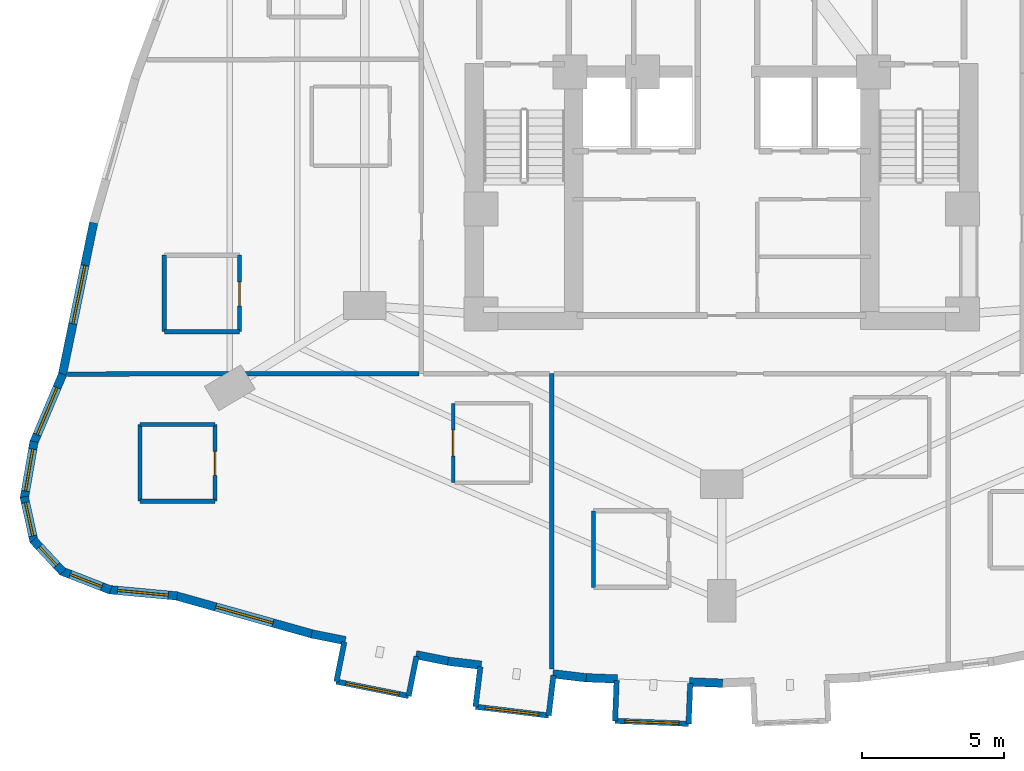
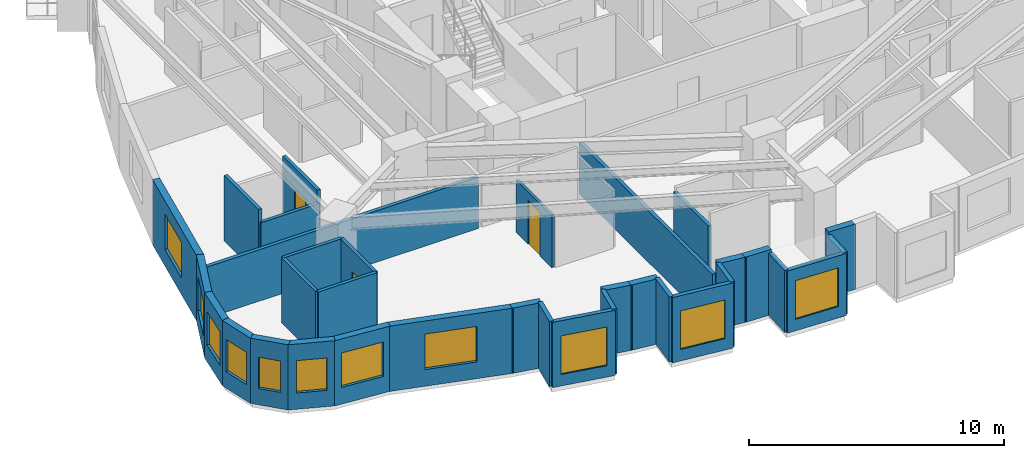
# One storey, part 10 of 17: 34 walls, 11 windows, 3 doors, 14 openings.
"""IFC4 building model written with IfcOpenShell, lengths in metres."""

from ifc_helpers import new_model, si_unit, direction, frame, frame_2d, origin, place, context, subcontext, project, spatial, rectangle, extrude, material, layer, layer_set, type_object, element, fill, save


model = new_model("IFC4")

# Units and contexts
model_context = context("Model", 3, precision=1e-05, world=origin(), true_north=direction((0.0, 1.0)))
body_context = subcontext(model_context, "Body", "Model", "MODEL_VIEW")
ifc_project = project(units=[si_unit("LENGTHUNIT", "METRE"), si_unit("AREAUNIT", "SQUARE_METRE"), si_unit("VOLUMEUNIT", "CUBIC_METRE"), si_unit("PLANEANGLEUNIT", "RADIAN"), si_unit("MASSUNIT", "GRAM", prefix="KILO")], contexts=[model_context])

# Site, building, storey
site_placement = place(None, origin())
site = spatial("IfcSite", under=ifc_project, at=site_placement, CompositionType="ELEMENT")
building_placement = place(site_placement, origin())
building = spatial("IfcBuilding", under=site, at=building_placement, Name="Miruveldt Soraemaru", CompositionType="ELEMENT")
storey_placement = place(building_placement, frame((0.0, 0.0, 53.0)))
storey = spatial("IfcBuildingStorey", under=building, at=storey_placement, Name="L14", CompositionType="ELEMENT", Elevation=53.0)

# Walls
ifc_material_1 = material(Name="White powder-coated aluminium EN AW-6060 T6", Category="aluminium")
ifc_layer_1 = layer(ifc_material_1, 0.18994140625, Name="White powder-coated aluminium EN AW-6060 T6", Category="aluminium")
ifc_layer_set_1 = layer_set([ifc_layer_1], Name="White powder-coated aluminium EN AW-6060 T6")
wall_type_1 = type_object("IfcWallType", Name="WALL-BAY-ALU190", PredefinedType="SOLIDWALL", material=ifc_layer_set_1)
for number, where, z_axis, x_axis, name in (
    (1, (30.681396484375, 23.927978515625, 0.0), (0.0, 0.0, 1.0), (-0.196149079112, -0.980574086321, 0.0), "L14 Bay Window Side Cheek 1L"),
    (2, (32.951416015625, 22.0205078125, 0.0), (0.0, 0.0, 1.0), (0.195984352603, 0.980607022989, 0.0), "L14 Bay Window Side Cheek 1R"),
):
    element("IfcWall", number, at=place(storey_placement, frame(where, z_axis=z_axis, x_axis=x_axis)), inside=storey, type_object=wall_type_1, Name=name, PredefinedType="SOLIDWALL", context=body_context, shape_type="SweptSolid", body=[
        extrude(rectangle(XDim=1.425048828125, YDim=0.18994140625, at=frame_2d((0.71240234375, 0.0))), origin(), (0.0, 0.0, 1.0), 3.125),
    ])

# Wall, opening, window
wall_1_placement = place(storey_placement, frame((30.40185546875, 22.530517578125, 0.0), z_axis=(0.0, 0.0, 1.0), x_axis=(0.980573452128, -0.196152249497, 0.0)))
wall_1 = element("IfcWall", 3, at=wall_1_placement, inside=storey, type_object=wall_type_1, Name="L14 Bay Window Front Frame 1", PredefinedType="SOLIDWALL", context=body_context, shape_type="SweptSolid", body=[
    extrude(rectangle(XDim=2.60009765625, YDim=0.18994140625, at=frame_2d((1.300048828125, 0.0))), origin(), (0.0, 0.0, 1.0), 3.125),
])
opening_1_placement = place(wall_1_placement, frame((0.35009765625, 0.0, 0.550048828125)))
opening_1 = element("IfcOpeningElement", 4, at=opening_1_placement, cuts=wall_1, Name="Opening WN-6", PredefinedType="OPENING", context=body_context, shape_type="SweptSolid", body=[
    extrude(rectangle(XDim=1.89990234375, YDim=1.85009765625, at=frame_2d((0.949951171875, 0.925048828125))), frame((0.0, 0.10498046875, 0.0), z_axis=(0.0, -1.0, 0.0), x_axis=(1.0, 0.0, 0.0)), (0.0, 0.0, 1.0), 0.2099609375),
])
ifc_material_2 = material(Name="Triple low-e insulated glazing", Category="glass")
window_type_1 = type_object("IfcWindowType", Name="WIN-BAYW-1900x1850", PartitioningType="SINGLE_PANEL", PredefinedType="WINDOW", material=ifc_material_2)
window_1_placement = place(opening_1_placement, origin())
window_1 = element("IfcWindow", 5, at=window_1_placement, inside=storey, type_object=window_type_1, Name="L14 Projecting Bay Window 1", OverallHeight=1.85009765625, OverallWidth=1.89990234375, PartitioningType="SINGLE_PANEL", PredefinedType="WINDOW", context=body_context, shape_type="SweptSolid", body=[
    extrude(rectangle(XDim=1.89990234375, YDim=1.85009765625, at=frame_2d((0.949951171875, 0.925048828125))), frame((0.0, 0.030029296875, 0.0), z_axis=(0.0, -1.0, 0.0), x_axis=(1.0, 0.0, 0.0)), (0.0, 0.0, 1.0), 0.06005859375),
])
fill(opening_1, window_1)

# Walls
wall_2_placement = place(storey_placement, frame((35.48291015625, 23.056884765625, 0.0), z_axis=(0.0, 0.0, 1.0), x_axis=(-0.119246559468, -0.992864672579, 0.0)))
element("IfcWall", 6, at=wall_2_placement, inside=storey, type_object=wall_type_1, Name="L14 Bay Window Side Cheek 2L", PredefinedType="SOLIDWALL", context=body_context, shape_type="SweptSolid", body=[
    extrude(rectangle(XDim=1.425048828125, YDim=0.18994140625, at=frame_2d((0.71240234375, 0.0))), origin(), (0.0, 0.0, 1.0), 3.125),
])
wall_3_placement = place(storey_placement, frame((37.89453125, 21.332275390625, 0.0), z_axis=(0.0, 0.0, 1.0), x_axis=(0.119057405757, 0.992887372331, 0.0)))
element("IfcWall", 7, at=wall_3_placement, inside=storey, type_object=wall_type_1, Name="L14 Bay Window Side Cheek 2R", PredefinedType="SOLIDWALL", context=body_context, shape_type="SweptSolid", body=[
    extrude(rectangle(XDim=1.42529296875, YDim=0.18994140625, at=frame_2d((0.712646484375, 0.0))), origin(), (0.0, 0.0, 1.0), 3.125),
])

# Wall, opening, window
wall_4_placement = place(storey_placement, frame((35.31298828125, 21.64208984375, 0.0), z_axis=(0.0, 0.0, 1.0), x_axis=(0.99287550549, -0.119156328397, 0.0)))
wall_4 = element("IfcWall", 8, at=wall_4_placement, inside=storey, type_object=wall_type_1, Name="L14 Bay Window Front Frame 2", PredefinedType="SOLIDWALL", context=body_context, shape_type="SweptSolid", body=[
    extrude(rectangle(XDim=2.60009765625, YDim=0.18994140625, at=frame_2d((1.300048828125, 0.0))), origin(), (0.0, 0.0, 1.0), 3.125),
])
opening_2_placement = place(wall_4_placement, frame((0.35009765625, 0.0, 0.550048828125)))
opening_2 = element("IfcOpeningElement", 9, at=opening_2_placement, cuts=wall_4, Name="Opening WN-6", PredefinedType="OPENING", context=body_context, shape_type="SweptSolid", body=[
    extrude(rectangle(XDim=1.89990234375, YDim=1.85009765625, at=frame_2d((0.949951171875, 0.925048828125))), frame((0.0, 0.10498046875, 0.0), z_axis=(0.0, -1.0, 0.0), x_axis=(1.0, 0.0, 0.0)), (0.0, 0.0, 1.0), 0.2099609375),
])
window_2_placement = place(opening_2_placement, origin())
window_2 = element("IfcWindow", 10, at=window_2_placement, inside=storey, type_object=window_type_1, Name="L14 Projecting Bay Window 2", OverallHeight=1.85009765625, OverallWidth=1.89990234375, PartitioningType="SINGLE_PANEL", PredefinedType="WINDOW", context=body_context, shape_type="SweptSolid", body=[
    extrude(rectangle(XDim=1.89990234375, YDim=1.85009765625, at=frame_2d((0.949951171875, 0.925048828125))), frame((0.0, 0.030029296875, 0.0), z_axis=(0.0, -1.0, 0.0), x_axis=(1.0, 0.0, 0.0)), (0.0, 0.0, 1.0), 0.06005859375),
])
fill(opening_2, window_2)

# Walls
wall_5_placement = place(storey_placement, frame((40.292236328125, 22.568603515625, 0.0), z_axis=(0.0, 0.0, 1.0), x_axis=(-0.039920142234, -0.999202873417, 0.0)))
element("IfcWall", 11, at=wall_5_placement, inside=storey, type_object=wall_type_1, Name="L14 Bay Window Side Cheek 3L", PredefinedType="SOLIDWALL", context=body_context, shape_type="SweptSolid", body=[
    extrude(rectangle(XDim=1.425048828125, YDim=0.18994140625, at=frame_2d((0.71240234375, 0.0))), origin(), (0.0, 0.0, 1.0), 2.97509765625),
])
wall_6_placement = place(storey_placement, frame((42.833251953125, 21.041015625, 0.0), z_axis=(0.0, 0.0, 1.0), x_axis=(0.039926977512, 0.99920260031, 0.0)))
element("IfcWall", 12, at=wall_6_placement, inside=storey, type_object=wall_type_1, Name="L14 Bay Window Side Cheek 3R", PredefinedType="SOLIDWALL", context=body_context, shape_type="SweptSolid", body=[
    extrude(rectangle(XDim=1.4248046875, YDim=0.18994140625, at=frame_2d((0.71240234375, 0.0))), origin(), (0.0, 0.0, 1.0), 2.97509765625),
])

# Wall, opening, window
wall_7_placement = place(storey_placement, frame((40.2353515625, 21.144775390625, 0.0), z_axis=(0.0, 0.0, 1.0), x_axis=(0.999203356953, -0.039908037469, 0.0)))
wall_7 = element("IfcWall", 13, at=wall_7_placement, inside=storey, type_object=wall_type_1, Name="L14 Bay Window Front Frame 3", PredefinedType="SOLIDWALL", context=body_context, shape_type="SweptSolid", body=[
    extrude(rectangle(XDim=2.599853515625, YDim=0.18994140625, at=frame_2d((1.2998046875, 0.0))), origin(), (0.0, 0.0, 1.0), 2.97509765625),
])
opening_3_placement = place(wall_7_placement, frame((0.35009765625, 0.0, 0.550048828125)))
opening_3 = element("IfcOpeningElement", 14, at=opening_3_placement, cuts=wall_7, Name="Opening WN-6", PredefinedType="OPENING", context=body_context, shape_type="SweptSolid", body=[
    extrude(rectangle(XDim=1.89990234375, YDim=1.85009765625, at=frame_2d((0.949951171875, 0.925048828125))), frame((0.0, 0.10498046875, 0.0), z_axis=(0.0, -1.0, 0.0), x_axis=(1.0, 0.0, 0.0)), (0.0, 0.0, 1.0), 0.2099609375),
])
window_3_placement = place(opening_3_placement, origin())
window_3 = element("IfcWindow", 15, at=window_3_placement, inside=storey, type_object=window_type_1, Name="L14 Projecting Bay Window 3", OverallHeight=1.85009765625, OverallWidth=1.89990234375, PartitioningType="SINGLE_PANEL", PredefinedType="WINDOW", context=body_context, shape_type="SweptSolid", body=[
    extrude(rectangle(XDim=1.89990234375, YDim=1.85009765625, at=frame_2d((0.949951171875, 0.925048828125))), frame((0.0, 0.030029296875, 0.0), z_axis=(0.0, -1.0, 0.0), x_axis=(1.0, 0.0, 0.0)), (0.0, 0.0, 1.0), 0.06005859375),
])
fill(opening_3, window_3)

ifc_material_3 = material(Name="Precast concrete C45/55 (45 MPa)", Category="concrete")
ifc_layer_2 = layer(ifc_material_3, 0.300048828125, Name="Precast concrete C45/55 (45 MPa)", Category="concrete")
ifc_layer_set_2 = layer_set([ifc_layer_2], Name="Precast concrete C45/55 (45 MPa)")
wall_type_2 = type_object("IfcWallType", Name="WALL-EXT-PC300", PredefinedType="SOLIDWALL", material=ifc_layer_set_2)
wall_8_placement = place(storey_placement, frame((21.8369140625, 38.724365234375, 0.0), z_axis=(0.0, 0.0, 1.0), x_axis=(-0.201560647918, -0.979476036057, 0.0)))
wall_8 = element("IfcWall", 16, at=wall_8_placement, inside=storey, type_object=wall_type_2, Name="L14 Precast Concrete Facade Wall 14", PredefinedType="SOLIDWALL", context=body_context, shape_type="SweptSolid", body=[
    extrude(rectangle(XDim=5.5244140625, YDim=0.300048828125, at=frame_2d((2.76220703125, 0.0))), origin(), (0.0, 0.0, 1.0), 3.125),
])
opening_4_placement = place(wall_8_placement, frame((1.5390625, 0.0, 0.800048828125)))
opening_4 = element("IfcOpeningElement", 17, at=opening_4_placement, cuts=wall_8, Name="Opening WN-1", PredefinedType="OPENING", context=body_context, shape_type="SweptSolid", body=[
    extrude(rectangle(XDim=2.10009765625, YDim=1.699951171875, at=frame_2d((1.050048828125, 0.85009765625))), frame((0.0, 0.16015625, 0.0), z_axis=(0.0, -1.0, 0.0), x_axis=(1.0, 0.0, 0.0)), (0.0, 0.0, 1.0), 0.320068359375),
])
window_type_2 = type_object("IfcWindowType", Name="WIN-PUNCH-2100x1700", PartitioningType="SINGLE_PANEL", PredefinedType="WINDOW", material=ifc_material_2)
window_4_placement = place(opening_4_placement, origin())
window_4 = element("IfcWindow", 18, at=window_4_placement, inside=storey, type_object=window_type_2, Name="L14 Punched Triple-Glazed Window 14.1", OverallHeight=1.699951171875, OverallWidth=2.10009765625, PartitioningType="SINGLE_PANEL", PredefinedType="WINDOW", context=body_context, shape_type="SweptSolid", body=[
    extrude(rectangle(XDim=2.10009765625, YDim=1.699951171875, at=frame_2d((1.050048828125, 0.85009765625))), frame((0.0, 0.030029296875, 0.0), z_axis=(0.0, -1.0, 0.0), x_axis=(1.0, 0.0, 0.0)), (0.0, 0.0, 1.0), 0.06005859375),
])
fill(opening_4, window_4)

wall_9_placement = place(storey_placement, frame((20.743896484375, 33.379638671875, 0.0), z_axis=(0.0, 0.0, 1.0), x_axis=(-0.388616300532, -0.921399680356, 0.0)))
wall_9 = element("IfcWall", 19, at=wall_9_placement, inside=storey, type_object=wall_type_2, Name="L14 Precast Concrete Facade Wall 15", PredefinedType="SOLIDWALL", context=body_context, shape_type="SweptSolid", body=[
    extrude(rectangle(XDim=2.653564453125, YDim=0.300048828125, at=frame_2d((1.32666015625, 0.0))), origin(), (0.0, 0.0, 1.0), 3.125),
])
opening_5_placement = place(wall_9_placement, frame((0.513916015625, 0.0, 0.800048828125)))
opening_5 = element("IfcOpeningElement", 20, at=opening_5_placement, cuts=wall_9, Name="Opening WN-2", PredefinedType="OPENING", context=body_context, shape_type="SweptSolid", body=[
    extrude(rectangle(XDim=1.800048828125, YDim=1.64990234375, at=frame_2d((0.89990234375, 0.824951171875))), frame((0.0, 0.16015625, 0.0), z_axis=(0.0, -1.0, 0.0), x_axis=(1.0, 0.0, 0.0)), (0.0, 0.0, 1.0), 0.320068359375),
])
window_type_3 = type_object("IfcWindowType", Name="WIN-PUNCH-1800x1650", PartitioningType="SINGLE_PANEL", PredefinedType="WINDOW", material=ifc_material_2)
window_5_placement = place(opening_5_placement, origin())
window_5 = element("IfcWindow", 21, at=window_5_placement, inside=storey, type_object=window_type_3, Name="L14 Punched Triple-Glazed Window 15.1", OverallHeight=1.64990234375, OverallWidth=1.800048828125, PartitioningType="SINGLE_PANEL", PredefinedType="WINDOW", context=body_context, shape_type="SweptSolid", body=[
    extrude(rectangle(XDim=1.800048828125, YDim=1.64990234375, at=frame_2d((0.89990234375, 0.824951171875))), frame((0.0, 0.030029296875, 0.0), z_axis=(0.0, -1.0, 0.0), x_axis=(1.0, 0.0, 0.0)), (0.0, 0.0, 1.0), 0.06005859375),
])
fill(opening_5, window_5)

wall_10_placement = place(storey_placement, frame((19.732177734375, 31.001220703125, 0.0), z_axis=(0.0, 0.0, 1.0), x_axis=(-0.169291630141, -0.98556600183, 0.0)))
wall_10 = element("IfcWall", 22, at=wall_10_placement, inside=storey, type_object=wall_type_2, Name="L14 Precast Concrete Facade Wall 16", PredefinedType="SOLIDWALL", context=body_context, shape_type="SweptSolid", body=[
    extrude(rectangle(XDim=2.04638671875, YDim=0.300048828125, at=frame_2d((1.023193359375, 0.0))), origin(), (0.0, 0.0, 1.0), 3.125),
])
opening_6_placement = place(wall_10_placement, frame((0.27294921875, 0.0, 0.800048828125)))
opening_6 = element("IfcOpeningElement", 23, at=opening_6_placement, cuts=wall_10, Name="Opening WN-3", PredefinedType="OPENING", context=body_context, shape_type="SweptSolid", body=[
    extrude(rectangle(XDim=1.5, YDim=1.60009765625, at=frame_2d((0.75, 0.800048828125))), frame((0.0, 0.16015625, 0.0), z_axis=(0.0, -1.0, 0.0), x_axis=(1.0, 0.0, 0.0)), (0.0, 0.0, 1.0), 0.320068359375),
])
window_type_4 = type_object("IfcWindowType", Name="WIN-PUNCH-1500x1600", PartitioningType="SINGLE_PANEL", PredefinedType="WINDOW", material=ifc_material_2)
window_6_placement = place(opening_6_placement, origin())
window_6 = element("IfcWindow", 24, at=window_6_placement, inside=storey, type_object=window_type_4, Name="L14 Punched Triple-Glazed Window 16.1", OverallHeight=1.60009765625, OverallWidth=1.5, PartitioningType="SINGLE_PANEL", PredefinedType="WINDOW", context=body_context, shape_type="SweptSolid", body=[
    extrude(rectangle(XDim=1.5, YDim=1.60009765625, at=frame_2d((0.75, 0.800048828125))), frame((0.0, 0.030029296875, 0.0), z_axis=(0.0, -1.0, 0.0), x_axis=(1.0, 0.0, 0.0)), (0.0, 0.0, 1.0), 0.06005859375),
])
fill(opening_6, window_6)

wall_11_placement = place(storey_placement, frame((19.384033203125, 29.052978515625, 0.0), z_axis=(0.0, 0.0, 1.0), x_axis=(0.21573476975, -0.976452000418, 0.0)))
wall_11 = element("IfcWall", 25, at=wall_11_placement, inside=storey, type_object=wall_type_2, Name="L14 Precast Concrete Facade Wall 17", PredefinedType="SOLIDWALL", context=body_context, shape_type="SweptSolid", body=[
    extrude(rectangle(XDim=1.62158203125, YDim=0.300048828125, at=frame_2d((0.810791015625, 0.0))), origin(), (0.0, 0.0, 1.0), 3.125),
])
opening_7_placement = place(wall_11_placement, frame((0.2109375, 0.0, 0.780029296875)))
opening_7 = element("IfcOpeningElement", 26, at=opening_7_placement, cuts=wall_11, Name="Opening WN-4", PredefinedType="OPENING", context=body_context, shape_type="SweptSolid", body=[
    extrude(rectangle(XDim=1.199951171875, YDim=1.550048828125, at=frame_2d((0.60009765625, 0.77490234375))), frame((0.0, 0.16015625, 0.0), z_axis=(0.0, -1.0, 0.0), x_axis=(1.0, 0.0, 0.0)), (0.0, 0.0, 1.0), 0.320068359375),
])
window_type_5 = type_object("IfcWindowType", Name="WIN-PUNCH-1200x1550", PartitioningType="SINGLE_PANEL", PredefinedType="WINDOW", material=ifc_material_2)
window_7_placement = place(opening_7_placement, origin())
window_7 = element("IfcWindow", 27, at=window_7_placement, inside=storey, type_object=window_type_5, Name="L14 Punched Triple-Glazed Window 17.1", OverallHeight=1.550048828125, OverallWidth=1.199951171875, PartitioningType="SINGLE_PANEL", PredefinedType="WINDOW", context=body_context, shape_type="SweptSolid", body=[
    extrude(rectangle(XDim=1.199951171875, YDim=1.550048828125, at=frame_2d((0.60009765625, 0.77490234375))), frame((0.0, 0.030029296875, 0.0), z_axis=(0.0, -1.0, 0.0), x_axis=(1.0, 0.0, 0.0)), (0.0, 0.0, 1.0), 0.06005859375),
])
fill(opening_7, window_7)

wall_12_placement = place(storey_placement, frame((19.702392578125, 27.529541015625, 0.0), z_axis=(0.0, 0.0, 1.0), x_axis=(0.680166423381, -0.733057730677, 0.0)))
wall_12 = element("IfcWall", 28, at=wall_12_placement, inside=storey, type_object=wall_type_2, Name="L14 Precast Concrete Facade Wall 18", PredefinedType="SOLIDWALL", context=body_context, shape_type="SweptSolid", body=[
    extrude(rectangle(XDim=1.54638671875, YDim=0.300048828125, at=frame_2d((0.773193359375, 0.0))), origin(), (0.0, 0.0, 1.0), 3.125),
])
opening_8_placement = place(wall_12_placement, frame((0.322998046875, 0.0, 0.780029296875)))
opening_8 = element("IfcOpeningElement", 29, at=opening_8_placement, cuts=wall_12, Name="Opening WN-7", PredefinedType="OPENING", context=body_context, shape_type="SweptSolid", body=[
    extrude(rectangle(XDim=0.89990234375, YDim=1.5, at=frame_2d((0.449951171875, 0.75))), frame((0.0, 0.16015625, 0.0), z_axis=(0.0, -1.0, 0.0), x_axis=(1.0, 0.0, 0.0)), (0.0, 0.0, 1.0), 0.320068359375),
])
window_type_6 = type_object("IfcWindowType", Name="WIN-PUNCH-900x1500", PartitioningType="SINGLE_PANEL", PredefinedType="WINDOW", material=ifc_material_2)
window_8_placement = place(opening_8_placement, origin())
window_8 = element("IfcWindow", 30, at=window_8_placement, inside=storey, type_object=window_type_6, Name="L14 Punched Triple-Glazed Window 18.1", OverallHeight=1.5, OverallWidth=0.89990234375, PartitioningType="SINGLE_PANEL", PredefinedType="WINDOW", context=body_context, shape_type="SweptSolid", body=[
    extrude(rectangle(XDim=0.89990234375, YDim=1.5, at=frame_2d((0.449951171875, 0.75))), frame((0.0, 0.030029296875, 0.0), z_axis=(0.0, -1.0, 0.0), x_axis=(1.0, 0.0, 0.0)), (0.0, 0.0, 1.0), 0.06005859375),
])
fill(opening_8, window_8)

wall_13_placement = place(storey_placement, frame((20.69775390625, 26.434326171875, 0.0), z_axis=(0.0, 0.0, 1.0), x_axis=(0.932255014828, -0.361801861975, 0.0)))
wall_13 = element("IfcWall", 31, at=wall_13_placement, inside=storey, type_object=wall_type_2, Name="L14 Precast Concrete Facade Wall 19", PredefinedType="SOLIDWALL", context=body_context, shape_type="SweptSolid", body=[
    extrude(rectangle(XDim=1.865234375, YDim=0.300048828125, at=frame_2d((0.9326171875, 0.0))), origin(), (0.0, 0.0, 1.0), 3.125),
])
opening_9_placement = place(wall_13_placement, frame((0.3330078125, 0.0, 0.780029296875)))
opening_9 = element("IfcOpeningElement", 32, at=opening_9_placement, cuts=wall_13, Name="Opening WN-4", PredefinedType="OPENING", context=body_context, shape_type="SweptSolid", body=[
    extrude(rectangle(XDim=1.199951171875, YDim=1.550048828125, at=frame_2d((0.60009765625, 0.77490234375))), frame((0.0, 0.16015625, 0.0), z_axis=(0.0, -1.0, 0.0), x_axis=(1.0, 0.0, 0.0)), (0.0, 0.0, 1.0), 0.320068359375),
])
window_9_placement = place(opening_9_placement, origin())
window_9 = element("IfcWindow", 33, at=window_9_placement, inside=storey, type_object=window_type_5, Name="L14 Punched Triple-Glazed Window 19.1", OverallHeight=1.550048828125, OverallWidth=1.199951171875, PartitioningType="SINGLE_PANEL", PredefinedType="WINDOW", context=body_context, shape_type="SweptSolid", body=[
    extrude(rectangle(XDim=1.199951171875, YDim=1.550048828125, at=frame_2d((0.60009765625, 0.77490234375))), frame((0.0, 0.030029296875, 0.0), z_axis=(0.0, -1.0, 0.0), x_axis=(1.0, 0.0, 0.0)), (0.0, 0.0, 1.0), 0.06005859375),
])
fill(opening_9, window_9)

wall_14_placement = place(storey_placement, frame((22.368896484375, 25.775390625, 0.0), z_axis=(0.0, 0.0, 1.0), x_axis=(0.995769232406, -0.091889258318, 0.0)))
wall_14 = element("IfcWall", 34, at=wall_14_placement, inside=storey, type_object=wall_type_2, Name="L14 Precast Concrete Facade Wall 20", PredefinedType="SOLIDWALL", context=body_context, shape_type="SweptSolid", body=[
    extrude(rectangle(XDim=2.423095703125, YDim=0.300048828125, at=frame_2d((1.21142578125, 0.0))), origin(), (0.0, 0.0, 1.0), 3.125),
])
opening_10_placement = place(wall_14_placement, frame((0.31103515625, 0.0, 0.800048828125)))
opening_10 = element("IfcOpeningElement", 35, at=opening_10_placement, cuts=wall_14, Name="Opening WN-2", PredefinedType="OPENING", context=body_context, shape_type="SweptSolid", body=[
    extrude(rectangle(XDim=1.800048828125, YDim=1.64990234375, at=frame_2d((0.89990234375, 0.824951171875))), frame((0.0, 0.16015625, 0.0), z_axis=(0.0, -1.0, 0.0), x_axis=(1.0, 0.0, 0.0)), (0.0, 0.0, 1.0), 0.320068359375),
])
window_10_placement = place(opening_10_placement, origin())
window_10 = element("IfcWindow", 36, at=window_10_placement, inside=storey, type_object=window_type_3, Name="L14 Punched Triple-Glazed Window 20.1", OverallHeight=1.64990234375, OverallWidth=1.800048828125, PartitioningType="SINGLE_PANEL", PredefinedType="WINDOW", context=body_context, shape_type="SweptSolid", body=[
    extrude(rectangle(XDim=1.800048828125, YDim=1.64990234375, at=frame_2d((0.89990234375, 0.824951171875))), frame((0.0, 0.030029296875, 0.0), z_axis=(0.0, -1.0, 0.0), x_axis=(1.0, 0.0, 0.0)), (0.0, 0.0, 1.0), 0.06005859375),
])
fill(opening_10, window_10)

wall_15_placement = place(storey_placement, frame((24.713134765625, 25.565185546875, 0.0), z_axis=(0.0, 0.0, 1.0), x_axis=(0.962973524066, -0.269595979102, 0.0)))
wall_15 = element("IfcWall", 37, at=wall_15_placement, inside=storey, type_object=wall_type_2, Name="L14 Precast Concrete Facade Wall 21", PredefinedType="SOLIDWALL", context=body_context, shape_type="SweptSolid", body=[
    extrude(rectangle(XDim=5.068603515625, YDim=0.300048828125, at=frame_2d((2.5341796875, 0.0))), origin(), (0.0, 0.0, 1.0), 3.125),
])
opening_11_placement = place(wall_15_placement, frame((1.48388671875, 0.0, 0.800048828125)))
opening_11 = element("IfcOpeningElement", 38, at=opening_11_placement, cuts=wall_15, Name="Opening WN-1", PredefinedType="OPENING", context=body_context, shape_type="SweptSolid", body=[
    extrude(rectangle(XDim=2.10009765625, YDim=1.699951171875, at=frame_2d((1.050048828125, 0.85009765625))), frame((0.0, 0.16015625, 0.0), z_axis=(0.0, -1.0, 0.0), x_axis=(1.0, 0.0, 0.0)), (0.0, 0.0, 1.0), 0.320068359375),
])
window_11_placement = place(opening_11_placement, origin())
window_11 = element("IfcWindow", 39, at=window_11_placement, inside=storey, type_object=window_type_2, Name="L14 Punched Triple-Glazed Window 21.1", OverallHeight=1.699951171875, OverallWidth=2.10009765625, PartitioningType="SINGLE_PANEL", PredefinedType="WINDOW", context=body_context, shape_type="SweptSolid", body=[
    extrude(rectangle(XDim=2.10009765625, YDim=1.699951171875, at=frame_2d((1.050048828125, 0.85009765625))), frame((0.0, 0.030029296875, 0.0), z_axis=(0.0, -1.0, 0.0), x_axis=(1.0, 0.0, 0.0)), (0.0, 0.0, 1.0), 0.06005859375),
])
fill(opening_11, window_11)

# Walls
for number, where, z_axis, x_axis, name in (
    (40, (29.52587890625, 24.215087890625, 0.0), (0.0, 0.0, 1.0), (0.980557564688, -0.196231654767, 0.0), "L14 Precast Pier Wall 22A"),
    (41, (33.212158203125, 23.477783203125, 0.0), (0.0, 0.0, 1.0), (0.980557564688, -0.196231654767, 0.0), "L14 Precast Pier Wall 22B"),
):
    element("IfcWall", number, at=place(storey_placement, frame(where, z_axis=z_axis, x_axis=x_axis)), inside=storey, type_object=wall_type_2, Name=name, PredefinedType="SOLIDWALL", context=body_context, shape_type="SweptSolid", body=[
        extrude(rectangle(XDim=1.21923828125, YDim=0.300048828125, at=frame_2d((0.609619140625, 0.0))), origin(), (0.0, 0.0, 1.0), 3.125),
    ])
wall_16_placement = place(storey_placement, frame((34.338623046875, 23.249755859375, 0.0), z_axis=(0.0, 0.0, 1.0), x_axis=(0.992860313789, -0.119282845805, 0.0)))
element("IfcWall", 42, at=wall_16_placement, inside=storey, type_object=wall_type_2, Name="L14 Precast Pier Wall 23A", PredefinedType="SOLIDWALL", context=body_context, shape_type="SweptSolid", body=[
    extrude(rectangle(XDim=1.189208984375, YDim=0.300048828125, at=frame_2d((0.5947265625, 0.0))), origin(), (0.0, 0.0, 1.0), 3.125),
])
wall_17_placement = place(storey_placement, frame((38.041015625, 22.805419921875, 0.0), z_axis=(0.0, 0.0, 1.0), x_axis=(0.992881696171, -0.119104732943, 0.0)))
element("IfcWall", 43, at=wall_17_placement, inside=storey, type_object=wall_type_2, Name="L14 Precast Pier Wall 23B", PredefinedType="SOLIDWALL", context=body_context, shape_type="SweptSolid", body=[
    extrude(rectangle(XDim=1.18896484375, YDim=0.300048828125, at=frame_2d((0.594482421875, 0.0))), origin(), (0.0, 0.0, 1.0), 3.125),
])
wall_18_placement = place(storey_placement, frame((39.151611328125, 22.669189453125, 0.0), z_axis=(0.0, 0.0, 1.0), x_axis=(0.999202287203, -0.039934812478, 0.0)))
element("IfcWall", 44, at=wall_18_placement, inside=storey, type_object=wall_type_2, Name="L14 Precast Pier Wall 24A", PredefinedType="SOLIDWALL", context=body_context, shape_type="SweptSolid", body=[
    extrude(rectangle(XDim=1.173828125, YDim=0.300048828125, at=frame_2d((0.5869140625, 0.0))), origin(), (0.0, 0.0, 1.0), 3.125),
])
wall_19_placement = place(storey_placement, frame((42.8623046875, 22.52099609375, 0.0), z_axis=(0.0, 0.0, 1.0), x_axis=(0.999201955394, -0.03994311377, 0.0)))
element("IfcWall", 45, at=wall_19_placement, inside=storey, type_object=wall_type_2, Name="L14 Precast Pier Wall 24B", PredefinedType="SOLIDWALL", context=body_context, shape_type="SweptSolid", body=[
    extrude(rectangle(XDim=1.173583984375, YDim=0.300048828125, at=frame_2d((0.5869140625, 0.0))), origin(), (0.0, 0.0, 1.0), 3.125),
])

# Wall, opening, door
ifc_material_4 = material(Name="Gypsum plasterboard lining", Category="gypsum")
ifc_layer_3 = layer(ifc_material_4, 0.1201171875, Name="Gypsum plasterboard lining", Category="gypsum")
ifc_layer_set_3 = layer_set([ifc_layer_3], Name="Gypsum plasterboard lining")
wall_type_3 = type_object("IfcWallType", Name="WALL-INT-P120", PredefinedType="PARTITIONING", material=ifc_layer_set_3)
wall_20_placement = place(storey_placement, frame((34.52099609375, 32.34912109375, 0.0), z_axis=(0.0, 0.0, 1.0), x_axis=(0.0, -1.0, 0.0)))
wall_20 = element("IfcWall", 46, at=wall_20_placement, inside=storey, type_object=wall_type_3, Name="L14 Partition Wall 82", PredefinedType="PARTITIONING", context=body_context, shape_type="SweptSolid", body=[
    extrude(rectangle(XDim=2.800048828125, YDim=0.1201171875, at=frame_2d((1.39990234375, 0.0))), origin(), (0.0, 0.0, 1.0), 2.512939453125),
])
opening_12_placement = place(wall_20_placement, frame((0.93994140625, 0.0, 0.0)))
opening_12 = element("IfcOpeningElement", 47, at=opening_12_placement, cuts=wall_20, Name="Opening D3A", PredefinedType="OPENING", context=body_context, shape_type="SweptSolid", body=[
    extrude(rectangle(XDim=0.919921875, YDim=2.10009765625, at=frame_2d((0.4599609375, 1.050048828125))), frame((0.0, 0.070068359375, 0.0), z_axis=(0.0, -1.0, 0.0), x_axis=(1.0, 0.0, 0.0)), (0.0, 0.0, 1.0), 0.14013671875),
])
ifc_material_5 = material(Name="Anodised aluminium EN AW-6063 T6", Category="aluminium")
door_type_1 = type_object("IfcDoorType", Name="DOOR-INT-920", OperationType="NOTDEFINED", PredefinedType="DOOR", material=ifc_material_5)
door_1_placement = place(opening_12_placement, origin())
door_1 = element("IfcDoor", 48, at=door_1_placement, inside=storey, type_object=door_type_1, Name="L14 Unit CL07 KIT Door", OperationType="SINGLE_SWING_RIGHT", OverallHeight=2.10009765625, OverallWidth=0.919921875, PredefinedType="DOOR", context=body_context, shape_type="SweptSolid", body=[
    extrude(rectangle(XDim=0.919921875, YDim=2.10009765625, at=frame_2d((0.4599609375, 1.050048828125))), frame((0.0, 0.02490234375, 0.0), z_axis=(0.0, -1.0, 0.0), x_axis=(1.0, 0.0, 0.0)), (0.0, 0.0, 1.0), 0.050048828125),
])
fill(opening_12, door_1)

ifc_layer_4 = layer(ifc_material_4, 0.14990234375, Name="Gypsum plasterboard lining", Category="gypsum")
ifc_layer_set_4 = layer_set([ifc_layer_4], Name="Gypsum plasterboard lining")
wall_type_4 = type_object("IfcWallType", Name="WALL-INT-PLUMB", PredefinedType="PLUMBINGWALL", material=ifc_layer_set_4)
wall_21_placement = place(storey_placement, frame((26.12109375, 28.89892578125, 0.0), z_axis=(0.0, 0.0, 1.0), x_axis=(0.0, 1.0, 0.0)))
wall_21 = element("IfcWall", 49, at=wall_21_placement, inside=storey, type_object=wall_type_4, Name="L14 Partition Wall 76", PredefinedType="PLUMBINGWALL", context=body_context, shape_type="SweptSolid", body=[
    extrude(rectangle(XDim=2.7001953125, YDim=0.14990234375, at=frame_2d((1.35009765625, 0.0))), origin(), (0.0, 0.0, 1.0), 3.125),
])
opening_13_placement = place(wall_21_placement, frame((0.909912109375, 0.0, 0.0)))
opening_13 = element("IfcOpeningElement", 50, at=opening_13_placement, cuts=wall_21, Name="Opening FD3", PredefinedType="OPENING", context=body_context, shape_type="SweptSolid", body=[
    extrude(rectangle(XDim=0.85009765625, YDim=2.10009765625, at=frame_2d((0.425048828125, 1.050048828125))), frame((0.0, 0.0849609375, 0.0), z_axis=(0.0, -1.0, 0.0), x_axis=(1.0, 0.0, 0.0)), (0.0, 0.0, 1.0), 0.169921875),
])
door_type_2 = type_object("IfcDoorType", Name="DOOR-FD3-850", OperationType="NOTDEFINED", PredefinedType="DOOR", material=ifc_material_5)
door_2_placement = place(opening_13_placement, origin())
door_2 = element("IfcDoor", 51, at=door_2_placement, inside=storey, type_object=door_type_2, Name="L14 Unit CL07 BTH Door", OperationType="SINGLE_SWING_LEFT", OverallHeight=2.10009765625, OverallWidth=0.85009765625, PredefinedType="DOOR", context=body_context, shape_type="SweptSolid", body=[
    extrude(rectangle(XDim=0.85009765625, YDim=2.10009765625, at=frame_2d((0.425048828125, 1.050048828125))), frame((0.0, 0.02490234375, 0.0), z_axis=(0.0, -1.0, 0.0), x_axis=(1.0, 0.0, 0.0)), (0.0, 0.0, 1.0), 0.050048828125),
])
fill(opening_13, door_2)

wall_22_placement = place(storey_placement, frame((26.98095703125, 34.8798828125, 0.0), z_axis=(0.0, 0.0, 1.0), x_axis=(0.0, 1.0, 0.0)))
wall_22 = element("IfcWall", 52, at=wall_22_placement, inside=storey, type_object=wall_type_4, Name="L14 Partition Wall 53", PredefinedType="PLUMBINGWALL", context=body_context, shape_type="SweptSolid", body=[
    extrude(rectangle(XDim=2.7001953125, YDim=0.14990234375, at=frame_2d((1.35009765625, 0.0))), origin(), (0.0, 0.0, 1.0), 3.125),
])
opening_14_placement = place(wall_22_placement, frame((0.909912109375, 0.0, 0.0)))
opening_14 = element("IfcOpeningElement", 53, at=opening_14_placement, cuts=wall_22, Name="Opening FD3", PredefinedType="OPENING", context=body_context, shape_type="SweptSolid", body=[
    extrude(rectangle(XDim=0.85009765625, YDim=2.10009765625, at=frame_2d((0.425048828125, 1.050048828125))), frame((0.0, 0.0849609375, 0.0), z_axis=(0.0, -1.0, 0.0), x_axis=(1.0, 0.0, 0.0)), (0.0, 0.0, 1.0), 0.169921875),
])
door_3_placement = place(opening_14_placement, origin())
door_3 = element("IfcDoor", 54, at=door_3_placement, inside=storey, type_object=door_type_2, Name="L14 Unit CL04 BTH Door", OperationType="SINGLE_SWING_RIGHT", OverallHeight=2.10009765625, OverallWidth=0.85009765625, PredefinedType="DOOR", context=body_context, shape_type="SweptSolid", body=[
    extrude(rectangle(XDim=0.85009765625, YDim=2.10009765625, at=frame_2d((0.425048828125, 1.050048828125))), frame((0.0, 0.02490234375, 0.0), z_axis=(0.0, -1.0, 0.0), x_axis=(1.0, 0.0, 0.0)), (0.0, 0.0, 1.0), 0.050048828125),
])
fill(opening_14, door_3)

# Walls
wall_23_placement = place(storey_placement, frame((23.470947265625, 31.59912109375, 0.0), z_axis=(0.0, 0.0, 1.0), x_axis=(0.0, -1.0, 0.0)))
element("IfcWall", 55, at=wall_23_placement, inside=storey, type_object=wall_type_4, Name="L14 Partition Wall 78", PredefinedType="PLUMBINGWALL", context=body_context, shape_type="SweptSolid", body=[
    extrude(rectangle(XDim=2.7001953125, YDim=0.14990234375, at=frame_2d((1.35009765625, 0.0))), origin(), (0.0, 0.0, 1.0), 3.125),
])
wall_24_placement = place(storey_placement, frame((39.47998046875, 28.55810546875, 0.0), z_axis=(0.0, 0.0, 1.0), x_axis=(0.0, -1.0, 0.0)))
element("IfcWall", 56, at=wall_24_placement, inside=storey, type_object=wall_type_4, Name="L14 Partition Wall 87", PredefinedType="PLUMBINGWALL", context=body_context, shape_type="SweptSolid", body=[
    extrude(rectangle(XDim=2.7001953125, YDim=0.14990234375, at=frame_2d((1.35009765625, 0.0))), origin(), (0.0, 0.0, 1.0), 2.512939453125),
])
wall_25_placement = place(storey_placement, frame((24.3310546875, 37.580078125, 0.0), z_axis=(0.0, 0.0, 1.0), x_axis=(0.0, -1.0, 0.0)))
element("IfcWall", 57, at=wall_25_placement, inside=storey, type_object=wall_type_4, Name="L14 Partition Wall 55", PredefinedType="PLUMBINGWALL", context=body_context, shape_type="SweptSolid", body=[
    extrude(rectangle(XDim=2.7001953125, YDim=0.14990234375, at=frame_2d((1.35009765625, 0.0))), origin(), (0.0, 0.0, 1.0), 3.125),
])
wall_26_placement = place(storey_placement, frame((24.3310546875, 34.8798828125, 0.0), z_axis=(0.0, 0.0, 1.0), x_axis=(1.0, 0.0, 0.0)))
element("IfcWall", 58, at=wall_26_placement, inside=storey, type_object=wall_type_4, Name="L14 Partition Wall 56", PredefinedType="PLUMBINGWALL", context=body_context, shape_type="SweptSolid", body=[
    extrude(rectangle(XDim=2.64990234375, YDim=0.14990234375, at=frame_2d((1.324951171875, 0.0))), origin(), (0.0, 0.0, 1.0), 2.512939453125),
])
for number, where, z_axis, x_axis, name in (
    (59, (26.12109375, 31.59912109375, 0.0), (0.0, 0.0, 1.0), (-1.0, 0.0, 0.0), "L14 Partition Wall 77"),
    (60, (23.470947265625, 28.89892578125, 0.0), (0.0, 0.0, 1.0), (1.0, 0.0, 0.0), "L14 Partition Wall 79"),
):
    element("IfcWall", number, at=place(storey_placement, frame(where, z_axis=z_axis, x_axis=x_axis)), inside=storey, type_object=wall_type_4, Name=name, PredefinedType="PLUMBINGWALL", context=body_context, shape_type="SweptSolid", body=[
        extrude(rectangle(XDim=2.650146484375, YDim=0.14990234375, at=frame_2d((1.3251953125, 0.0))), origin(), (0.0, 0.0, 1.0), 3.125),
    ])
ifc_material_6 = material(Name="Concrete C40/50 (40 MPa)", Category="concrete")
ifc_layer_5 = layer(ifc_material_6, 0.159912109375, Name="Concrete C40/50 (40 MPa)", Category="concrete")
ifc_layer_set_5 = layer_set([ifc_layer_5], Name="Concrete C40/50 (40 MPa)")
wall_type_5 = type_object("IfcWallType", Name="WALL-INT-RC160", PredefinedType="SOLIDWALL", material=ifc_layer_set_5)
wall_27_placement = place(storey_placement, frame((20.906005859375, 33.383056640625, 0.0), z_axis=(0.0, 0.0, 1.0), x_axis=(0.999999079296, 0.001356984276, 0.0)))
element("IfcWall", 61, at=wall_27_placement, inside=storey, type_object=wall_type_5, Name="L14 Partition Wall 61", PredefinedType="SOLIDWALL", context=body_context, shape_type="SweptSolid", body=[
    extrude(rectangle(XDim=12.4140625, YDim=0.159912109375, at=frame_2d((6.20703125, 0.0))), origin(), (0.0, 0.0, 1.0), 2.462890625),
])
wall_28_placement = place(storey_placement, frame((38.010009765625, 22.97509765625, 0.0), z_axis=(0.0, 0.0, 1.0), x_axis=(-0.000960186911, 0.99999953902, 0.0)))
element("IfcWall", 62, at=wall_28_placement, inside=storey, type_object=wall_type_5, Name="L14 Partition Wall 84", PredefinedType="SOLIDWALL", context=body_context, shape_type="SweptSolid", body=[
    extrude(rectangle(XDim=10.4248046875, YDim=0.159912109375, at=frame_2d((5.21240234375, 0.0))), origin(), (0.0, 0.0, 1.0), 2.462890625),
])

save(model, "model.ifc")
